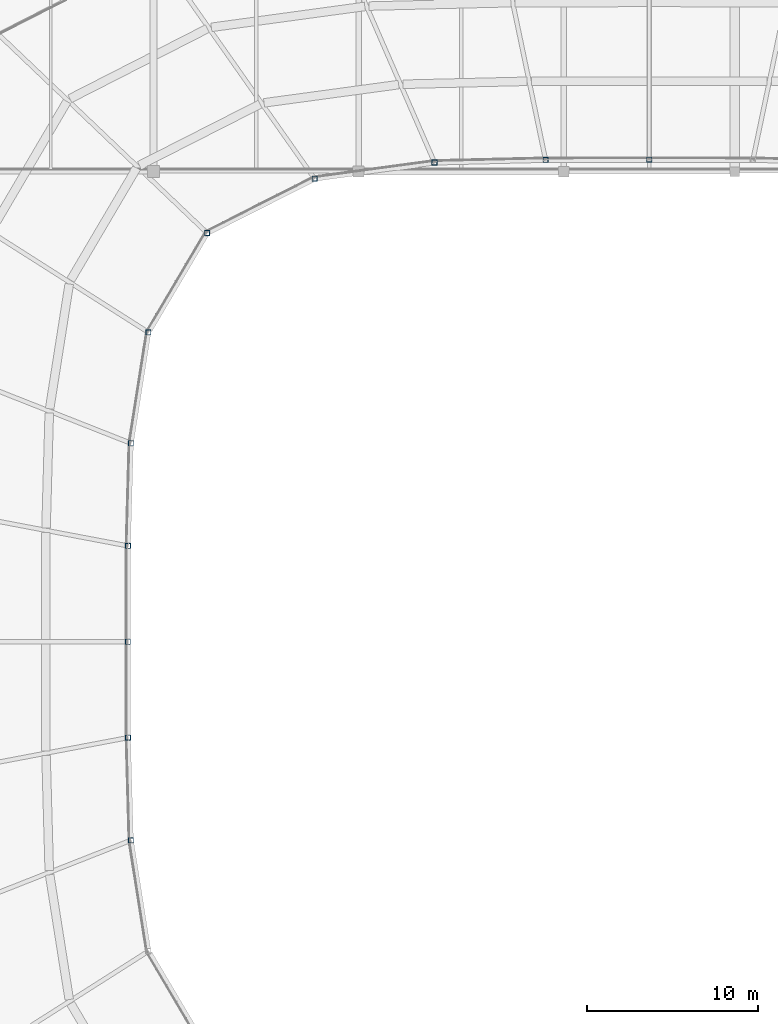
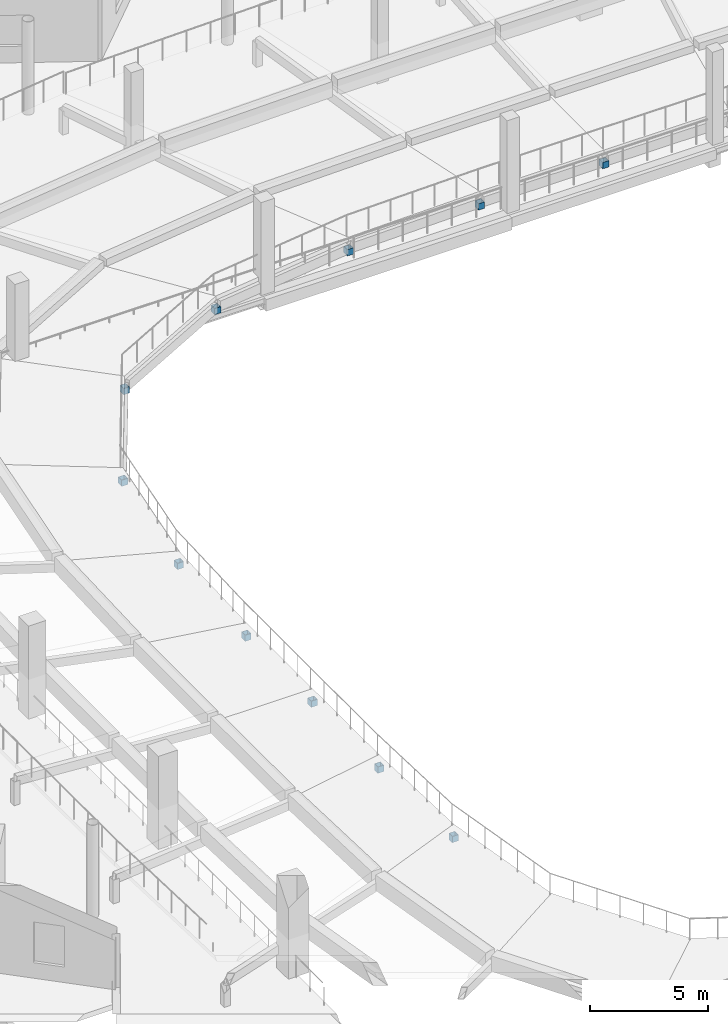
# One storey, part 18 of 77: 11 columns.
"""IFC4 building model written with IfcOpenShell, lengths in metres."""

from ifc_helpers import new_model, si_unit, direction, frame, origin, origin_2d, place, context, subcontext, project, spatial, hollow_rectangle, extrude, material, material_profile, profile_set, type_object, element, save


model = new_model("IFC4")

# Units and contexts
model_context = context("Model", 3, precision=1e-05, world=origin(), true_north=direction((0.0, 1.0)))
body_context = subcontext(model_context, "Body", "Model", "MODEL_VIEW")
ifc_project = project(units=[si_unit("LENGTHUNIT", "METRE"), si_unit("AREAUNIT", "SQUARE_METRE"), si_unit("VOLUMEUNIT", "CUBIC_METRE"), si_unit("PLANEANGLEUNIT", "RADIAN"), si_unit("MASSUNIT", "GRAM", prefix="KILO")], contexts=[model_context])

# Site, building, storey
site_placement = place(None, origin())
site = spatial("IfcSite", under=ifc_project, at=site_placement, CompositionType="ELEMENT")
building_placement = place(site_placement, origin())
building = spatial("IfcBuilding", under=site, at=building_placement, Name="Luwafu Chhajja Arena", CompositionType="ELEMENT")
storey_placement = place(building_placement, frame((0.0, 0.0, 14.699951171875)))
storey = spatial("IfcBuildingStorey", under=building, at=storey_placement, Name="L03", CompositionType="ELEMENT", Elevation=14.699951171875)

# Columns
ifc_material = material(Name="Steel S355", Category="steel")
ifc_material_profile = material_profile(ifc_material, hollow_rectangle(XDim=0.300048828125, YDim=0.300048828125, WallThickness=0.01611328125, at=origin_2d()), Name="SHS 300x300x16")
ifc_profile_set = profile_set([ifc_material_profile], Name="Steel S355")
column_type = type_object("IfcColumnType", Name="Steel Gallery Post SHS 300", PredefinedType="COLUMN", material=ifc_profile_set)
for number, where, z_axis, x_axis, name in (
    (1, (99.0, 77.699951171875, 0.0), (0.0, 0.0, 1.0), (1.0, 0.0, 0.0), "L03 Upper Raker Front Post 09"),
    (2, (92.934814453125, 77.6923828125, 0.0), (0.0, 0.0, 1.0), (1.0, 0.0, 0.0), "L03 Upper Raker Front Post 10"),
    (3, (86.439697265625, 77.536865234375, 0.0), (0.0, 0.0, 1.0), (1.0, 0.0, 0.0), "L03 Upper Raker Front Post 11"),
    (4, (79.42333984375, 76.589111328125, 0.0), (0.0, 0.0, 1.0), (1.0, 0.0, 0.0), "L03 Upper Raker Front Post 12"),
    (5, (73.14013671875, 73.409912109375, 0.0), (0.0, 0.0, 1.0), (1.0, 0.0, 0.0), "L03 Upper Raker Front Post 13"),
    (6, (69.701416015625, 67.600341796875, 0.0), (0.0, 0.0, 1.0), (1.0, 0.0, 0.0), "L03 Upper Raker Front Post 14"),
    (7, (68.676513671875, 61.11328125, 0.0), (0.0, 0.0, 1.0), (1.0, 0.0, 0.0), "L03 Upper Raker Front Post 15"),
    (8, (68.50830078125, 55.10791015625, 0.0), (0.0, 0.0, 1.0), (1.0, 0.0, 0.0), "L03 Upper Raker Front Post 16"),
    (9, (68.5, 49.5, 0.0), (0.0, 0.0, 1.0), (1.0, 0.0, 0.0), "L03 Upper Raker Front Post 17"),
    (10, (68.50830078125, 43.89208984375, 0.0), (0.0, 0.0, 1.0), (1.0, 0.0, 0.0), "L03 Upper Raker Front Post 18"),
    (11, (68.676513671875, 37.88671875, 0.0), (0.0, 0.0, 1.0), (1.0, 0.0, 0.0), "L03 Upper Raker Front Post 19"),
):
    element("IfcColumn", number, at=place(storey_placement, frame(where, z_axis=z_axis, x_axis=x_axis)), inside=storey, type_object=column_type, Name=name, PredefinedType="COLUMN", context=body_context, shape_type="SweptSolid", body=[
        extrude(hollow_rectangle(XDim=0.300048828125, YDim=0.300048828125, WallThickness=0.01611328125, at=origin_2d()), origin(), (0.0, 0.0, 1.0), 0.320068359375),
    ])

save(model, "model.ifc")
